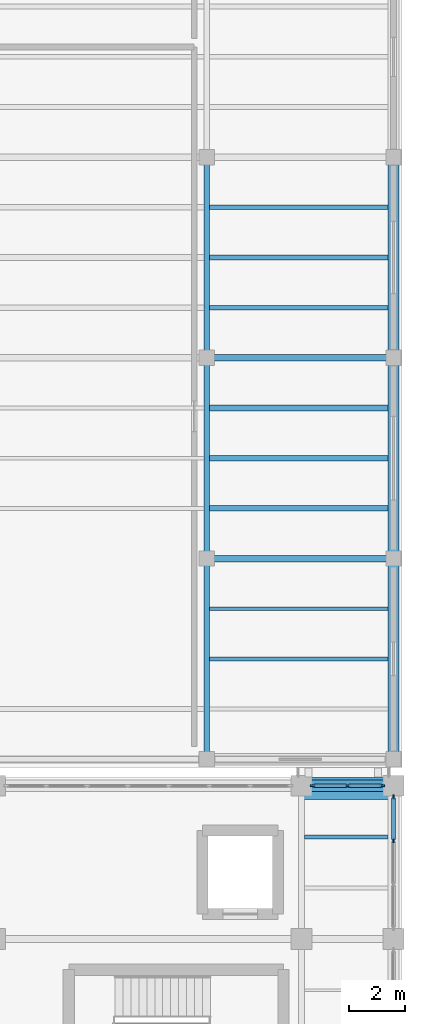
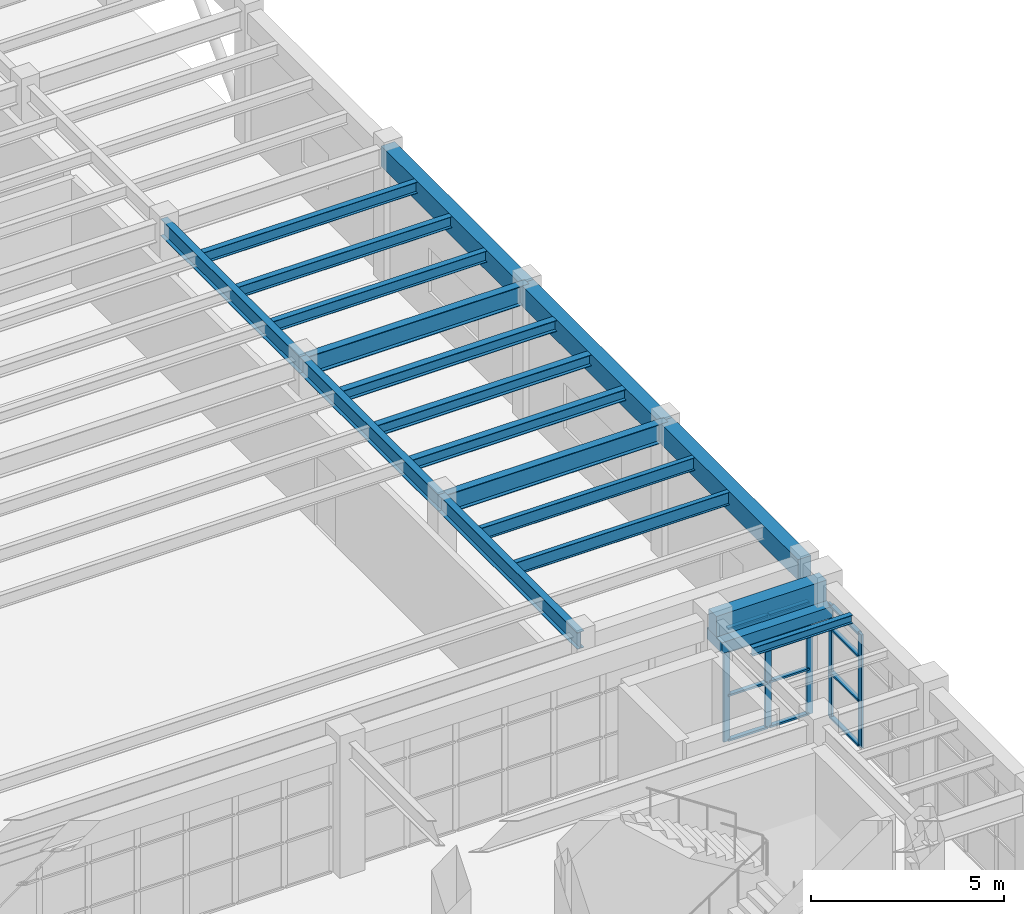
# One storey, part 46 of 85: 19 beams, 17 members, 2 elements without a shape of their own.
"""IFC4 building model written with IfcOpenShell, lengths in metres."""

from ifc_helpers import new_model, si_unit, direction, frame, origin, origin_2d, place, context, subcontext, project, spatial, rectangle, i_section, extrude, material, layer, layer_set, material_profile, profile_set, type_object, element, aggregate, save


model = new_model("IFC4")

# Units and contexts
model_context = context("Model", 3, precision=1e-05, world=origin(), true_north=direction((0.0, 1.0)))
body_context = subcontext(model_context, "Body", "Model", "MODEL_VIEW")
ifc_project = project(units=[si_unit("LENGTHUNIT", "METRE"), si_unit("AREAUNIT", "SQUARE_METRE"), si_unit("VOLUMEUNIT", "CUBIC_METRE"), si_unit("PLANEANGLEUNIT", "RADIAN"), si_unit("MASSUNIT", "GRAM", prefix="KILO")], contexts=[model_context])

# Site, building, storey
site_placement = place(None, origin())
site = spatial("IfcSite", under=ifc_project, at=site_placement, CompositionType="ELEMENT")
building_placement = place(site_placement, origin())
building = spatial("IfcBuilding", under=site, at=building_placement, Name="Candilejo Ridge Gondola Terminal", CompositionType="ELEMENT")
storey_placement = place(building_placement, frame((0.0, 0.0, 4.5)))
storey = spatial("IfcBuildingStorey", under=building, at=storey_placement, Name="L01", CompositionType="ELEMENT", Elevation=4.5)

# Curtain wall, members
ifc_material_1 = material(Name="Anodised aluminium AA 6063-T6", Category="aluminium")
ifc_layer_1 = layer(ifc_material_1, 0.169921875)
ifc_layer_set_1 = layer_set([ifc_layer_1], Name="ARC-CW-HALL-3800-475X359")
curtain_wall_type_1 = type_object("IfcCurtainWallType", Name="ARC-CW-HALL-3800-475X359", PredefinedType="NOTDEFINED", material=ifc_layer_set_1)
curtain_wall_1_placement = place(storey_placement, origin())
curtain_wall_1 = element("IfcCurtainWall", 1, at=curtain_wall_1_placement, inside=storey, type_object=curtain_wall_type_1, Name="Curtain wall V4 L01-121", PredefinedType="NOTDEFINED")
ifc_material_2 = material(Name="Anodised aluminium AA 6063-T6", Category="aluminium")
ifc_material_profile_1 = material_profile(ifc_material_2, rectangle(XDim=0.06494140625, YDim=0.179931640625, at=origin_2d()))
ifc_profile_set_1 = profile_set([ifc_material_profile_1], Name="Anodised aluminium AA 6063-T6")
member_type_1 = type_object("IfcMemberType", Name="ARC-CW-MULLION-180", PredefinedType="MULLION", material=ifc_profile_set_1)
member_1_placement = place(storey_placement, frame((175.300048828125, 45.74169921875, 0.0), z_axis=(0.0, 0.0, 1.0), x_axis=(-1.0, 0.0, 0.0)))
member_1 = element("IfcMember", 2, at=member_1_placement, type_object=member_type_1, Name="CW-47X35 mullion 3", PredefinedType="MULLION", context=body_context, shape_type="SweptSolid", body=[
    extrude(rectangle(XDim=0.06494140625, YDim=0.179931640625, at=origin_2d()), origin(), (0.0, 0.0, 1.0), 3.590087890625),
])
member_2_placement = place(storey_placement, frame((175.300048828125, 47.29248046875, 0.0), z_axis=(0.0, 0.0, 1.0), x_axis=(-1.0, 0.0, 0.0)))
member_2 = element("IfcMember", 3, at=member_2_placement, type_object=member_type_1, Name="CW-47X35 mullion 4", PredefinedType="MULLION", context=body_context, shape_type="SweptSolid", body=[
    extrude(rectangle(XDim=0.06494140625, YDim=0.179931640625, at=origin_2d()), origin(), (0.0, 0.0, 1.0), 3.590087890625),
])

ifc_material_3 = material(Name="Anodised aluminium AA 6063-T6", Category="aluminium")
ifc_layer_2 = layer(ifc_material_3, 0.169921875)
ifc_layer_set_2 = layer_set([ifc_layer_2], Name="ARC-CW-HALL-3800-255X359")
curtain_wall_type_2 = type_object("IfcCurtainWallType", Name="ARC-CW-HALL-3800-255X359", PredefinedType="NOTDEFINED", material=ifc_layer_set_2)
curtain_wall_2_placement = place(storey_placement, origin())
curtain_wall_2 = element("IfcCurtainWall", 4, at=curtain_wall_2_placement, inside=storey, type_object=curtain_wall_type_2, Name="Curtain wall V4 L01-131", PredefinedType="NOTDEFINED")
member_3_placement = place(storey_placement, frame((172.407470703125, 47.699951171875, 0.0), z_axis=(0.0, 0.0, 1.0), x_axis=(0.0, 1.0, 0.0)))
member_3 = element("IfcMember", 5, at=member_3_placement, type_object=member_type_1, Name="CW-25X35 mullion 1", PredefinedType="MULLION", context=body_context, shape_type="SweptSolid", body=[
    extrude(rectangle(XDim=0.06494140625, YDim=0.179931640625, at=origin_2d()), origin(), (0.0, 0.0, 1.0), 3.590087890625),
])
member_4_placement = place(storey_placement, frame((173.64990234375, 47.699951171875, 0.0), z_axis=(0.0, 0.0, 1.0), x_axis=(0.0, 1.0, 0.0)))
member_4 = element("IfcMember", 6, at=member_4_placement, type_object=member_type_1, Name="CW-25X35 mullion 2", PredefinedType="MULLION", context=body_context, shape_type="SweptSolid", body=[
    extrude(rectangle(XDim=0.06494140625, YDim=0.179931640625, at=origin_2d()), origin(), (0.0, 0.0, 1.0), 3.590087890625),
])
member_5_placement = place(storey_placement, frame((174.892578125, 47.699951171875, 0.0), z_axis=(0.0, 0.0, 1.0), x_axis=(0.0, 1.0, 0.0)))
member_5 = element("IfcMember", 7, at=member_5_placement, type_object=member_type_1, Name="CW-25X35 mullion 3", PredefinedType="MULLION", context=body_context, shape_type="SweptSolid", body=[
    extrude(rectangle(XDim=0.06494140625, YDim=0.179931640625, at=origin_2d()), origin(), (0.0, 0.0, 1.0), 3.590087890625),
])

# Member
ifc_material_4 = material(Name="Anodised aluminium AA 6063-T6", Category="aluminium")
ifc_material_profile_2 = material_profile(ifc_material_4, rectangle(XDim=0.1298828125, YDim=0.06005859375, at=origin_2d()))
ifc_profile_set_2 = profile_set([ifc_material_profile_2], Name="Anodised aluminium AA 6063-T6")
member_type_2 = type_object("IfcMemberType", Name="ARC-CW-TRANSOM-130", PredefinedType="USERDEFINED", material=ifc_profile_set_2)
member_6_placement = place(storey_placement, frame((175.300048828125, 45.774169921875, 0.030029296875), z_axis=(0.0, 1.0, 0.0), x_axis=(-1.0, 0.0, 0.0)))
member_6 = element("IfcMember", 8, at=member_6_placement, type_object=member_type_2, Name="CW-47X35 transom 3.1", ObjectType="TRANSOM", PredefinedType="USERDEFINED", context=body_context, shape_type="SweptSolid", body=[
    extrude(rectangle(XDim=0.1298828125, YDim=0.06005859375, at=origin_2d()), origin(), (0.0, 0.0, 1.0), 1.48583984375),
])

member_7_placement = place(storey_placement, frame((175.300048828125, 45.774169921875, 1.449951171875), z_axis=(0.0, 1.0, 0.0), x_axis=(-1.0, 0.0, 0.0)))
member_7 = element("IfcMember", 9, at=member_7_placement, type_object=member_type_2, Name="CW-47X35 transom 3.2", ObjectType="TRANSOM", PredefinedType="USERDEFINED", context=body_context, shape_type="SweptSolid", body=[
    extrude(rectangle(XDim=0.1298828125, YDim=0.06005859375, at=origin_2d()), origin(), (0.0, 0.0, 1.0), 1.48583984375),
])

member_8_placement = place(storey_placement, frame((175.300048828125, 45.774169921875, 2.85009765625), z_axis=(0.0, 1.0, 0.0), x_axis=(-1.0, 0.0, 0.0)))
member_8 = element("IfcMember", 10, at=member_8_placement, type_object=member_type_2, Name="CW-47X35 transom 3.3", ObjectType="TRANSOM", PredefinedType="USERDEFINED", context=body_context, shape_type="SweptSolid", body=[
    extrude(rectangle(XDim=0.1298828125, YDim=0.06005859375, at=origin_2d()), origin(), (0.0, 0.0, 1.0), 1.48583984375),
])

member_9_placement = place(storey_placement, frame((175.300048828125, 45.774169921875, 3.56005859375), z_axis=(0.0, 1.0, 0.0), x_axis=(-1.0, 0.0, 0.0)))
member_9 = element("IfcMember", 11, at=member_9_placement, type_object=member_type_2, Name="CW-47X35 transom 3.4", ObjectType="TRANSOM", PredefinedType="USERDEFINED", context=body_context, shape_type="SweptSolid", body=[
    extrude(rectangle(XDim=0.1298828125, YDim=0.06005859375, at=origin_2d()), origin(), (0.0, 0.0, 1.0), 1.48583984375),
])

aggregate(curtain_wall_1, [member_1, member_2, member_6, member_7, member_8, member_9])

member_10_placement = place(storey_placement, frame((172.43994140625, 47.699951171875, 0.030029296875), z_axis=(1.0, 0.0, 0.0), x_axis=(0.0, 1.0, 0.0)))
member_10 = element("IfcMember", 12, at=member_10_placement, type_object=member_type_2, Name="CW-25X35 transom 1.1", ObjectType="TRANSOM", PredefinedType="USERDEFINED", context=body_context, shape_type="SweptSolid", body=[
    extrude(rectangle(XDim=0.1298828125, YDim=0.06005859375, at=origin_2d()), origin(), (0.0, 0.0, 1.0), 1.177490234375),
])

member_11_placement = place(storey_placement, frame((172.43994140625, 47.699951171875, 1.449951171875), z_axis=(1.0, 0.0, 0.0), x_axis=(0.0, 1.0, 0.0)))
member_11 = element("IfcMember", 13, at=member_11_placement, type_object=member_type_2, Name="CW-25X35 transom 1.2", ObjectType="TRANSOM", PredefinedType="USERDEFINED", context=body_context, shape_type="SweptSolid", body=[
    extrude(rectangle(XDim=0.1298828125, YDim=0.06005859375, at=origin_2d()), origin(), (0.0, 0.0, 1.0), 1.177490234375),
])

member_12_placement = place(storey_placement, frame((172.43994140625, 47.699951171875, 2.85009765625), z_axis=(1.0, 0.0, 0.0), x_axis=(0.0, 1.0, 0.0)))
member_12 = element("IfcMember", 14, at=member_12_placement, type_object=member_type_2, Name="CW-25X35 transom 1.3", ObjectType="TRANSOM", PredefinedType="USERDEFINED", context=body_context, shape_type="SweptSolid", body=[
    extrude(rectangle(XDim=0.1298828125, YDim=0.06005859375, at=origin_2d()), origin(), (0.0, 0.0, 1.0), 1.177490234375),
])

member_13_placement = place(storey_placement, frame((172.43994140625, 47.699951171875, 3.56005859375), z_axis=(1.0, 0.0, 0.0), x_axis=(0.0, 1.0, 0.0)))
member_13 = element("IfcMember", 15, at=member_13_placement, type_object=member_type_2, Name="CW-25X35 transom 1.4", ObjectType="TRANSOM", PredefinedType="USERDEFINED", context=body_context, shape_type="SweptSolid", body=[
    extrude(rectangle(XDim=0.1298828125, YDim=0.06005859375, at=origin_2d()), origin(), (0.0, 0.0, 1.0), 1.177490234375),
])

member_14_placement = place(storey_placement, frame((173.6826171875, 47.699951171875, 0.030029296875), z_axis=(1.0, 0.0, 0.0), x_axis=(0.0, 1.0, 0.0)))
member_14 = element("IfcMember", 16, at=member_14_placement, type_object=member_type_2, Name="CW-25X35 transom 2.1", ObjectType="TRANSOM", PredefinedType="USERDEFINED", context=body_context, shape_type="SweptSolid", body=[
    extrude(rectangle(XDim=0.1298828125, YDim=0.06005859375, at=origin_2d()), origin(), (0.0, 0.0, 1.0), 1.177490234375),
])

member_15_placement = place(storey_placement, frame((173.6826171875, 47.699951171875, 1.449951171875), z_axis=(1.0, 0.0, 0.0), x_axis=(0.0, 1.0, 0.0)))
member_15 = element("IfcMember", 17, at=member_15_placement, type_object=member_type_2, Name="CW-25X35 transom 2.2", ObjectType="TRANSOM", PredefinedType="USERDEFINED", context=body_context, shape_type="SweptSolid", body=[
    extrude(rectangle(XDim=0.1298828125, YDim=0.06005859375, at=origin_2d()), origin(), (0.0, 0.0, 1.0), 1.177490234375),
])

member_16_placement = place(storey_placement, frame((173.6826171875, 47.699951171875, 2.85009765625), z_axis=(1.0, 0.0, 0.0), x_axis=(0.0, 1.0, 0.0)))
member_16 = element("IfcMember", 18, at=member_16_placement, type_object=member_type_2, Name="CW-25X35 transom 2.3", ObjectType="TRANSOM", PredefinedType="USERDEFINED", context=body_context, shape_type="SweptSolid", body=[
    extrude(rectangle(XDim=0.1298828125, YDim=0.06005859375, at=origin_2d()), origin(), (0.0, 0.0, 1.0), 1.177490234375),
])

member_17_placement = place(storey_placement, frame((173.6826171875, 47.699951171875, 3.56005859375), z_axis=(1.0, 0.0, 0.0), x_axis=(0.0, 1.0, 0.0)))
member_17 = element("IfcMember", 19, at=member_17_placement, type_object=member_type_2, Name="CW-25X35 transom 2.4", ObjectType="TRANSOM", PredefinedType="USERDEFINED", context=body_context, shape_type="SweptSolid", body=[
    extrude(rectangle(XDim=0.1298828125, YDim=0.06005859375, at=origin_2d()), origin(), (0.0, 0.0, 1.0), 1.177490234375),
])

aggregate(curtain_wall_2, [member_3, member_4, member_5, member_10, member_11, member_12, member_13, member_14, member_15, member_16, member_17])

# Beams
ifc_material_5 = material(Name="Steel ASTM A992 Grade 50", Category="steel")
ifc_material_profile_3 = material_profile(ifc_material_5, i_section(OverallWidth=0.208984375, OverallDepth=0.532958984375, WebThickness=0.01025390625, FlangeThickness=0.015625, at=origin_2d()))
ifc_profile_set_3 = profile_set([ifc_material_profile_3], Name="Steel ASTM A992 Grade 50")
beam_type_1 = type_object("IfcBeamType", Name="STR-BM-W530X92", PredefinedType="BEAM", material=ifc_profile_set_3)
beam_1_placement = place(storey_placement, frame((168.60009765625, 48.64990234375, 3.948486328125), z_axis=(0.0, 1.0, 0.0), x_axis=(-1.0, 0.0, 0.0)))
element("IfcBeam", 20, at=beam_1_placement, inside=storey, type_object=beam_type_1, Name="Beam Y V5 L01 Y10-Y11@X25", PredefinedType="BEAM", context=body_context, shape_type="SweptSolid", body=[
    extrude(i_section(OverallWidth=0.208984375, OverallDepth=0.532958984375, WebThickness=0.01025390625, FlangeThickness=0.015625, at=origin_2d()), origin(), (0.0, 0.0, 1.0), 7.2001953125),
])
for number, where, z_axis, x_axis, name in (
    (21, (168.60009765625, 55.85009765625, 3.948486328125), (0.0, 1.0, 0.0), (-1.0, 0.0, 0.0), "Beam Y V5 L01 Y11-Y12@X25"),
    (22, (168.60009765625, 63.050048828125, 3.948486328125), (0.0, 1.0, 0.0), (-1.0, 0.0, 0.0), "Beam Y V5 L01 Y12-Y13@X25"),
):
    element("IfcBeam", number, at=place(storey_placement, frame(where, z_axis=z_axis, x_axis=x_axis)), inside=storey, type_object=beam_type_1, Name=name, PredefinedType="BEAM", context=body_context, shape_type="SweptSolid", body=[
        extrude(i_section(OverallWidth=0.208984375, OverallDepth=0.532958984375, WebThickness=0.01025390625, FlangeThickness=0.015625, at=origin_2d()), origin(), (0.0, 0.0, 1.0), 7.199951171875),
    ])
ifc_material_6 = material(Name="Steel ASTM A992 Grade 50", Category="steel")
ifc_material_profile_4 = material_profile(ifc_material_6, i_section(OverallWidth=0.22900390625, OverallDepth=0.612060546875, WebThickness=0.011962890625, FlangeThickness=0.01953125, at=origin_2d()))
ifc_profile_set_4 = profile_set([ifc_material_profile_4], Name="Steel ASTM A992 Grade 50")
beam_type_2 = type_object("IfcBeamType", Name="STR-BM-W610X125", PredefinedType="BEAM", material=ifc_profile_set_4)
for number, where, z_axis, x_axis, name in (
    (23, (168.60009765625, 55.85009765625, 3.908935546875), (1.0, 0.0, 0.0), (0.0, 1.0, 0.0), "Beam X V5 L01 X25-X27@Y11"),
    (24, (168.60009765625, 63.050048828125, 3.908935546875), (1.0, 0.0, 0.0), (0.0, 1.0, 0.0), "Beam X V5 L01 X25-X27@Y12"),
):
    element("IfcBeam", number, at=place(storey_placement, frame(where, z_axis=z_axis, x_axis=x_axis)), inside=storey, type_object=beam_type_2, Name=name, PredefinedType="BEAM", context=body_context, shape_type="SweptSolid", body=[
        extrude(i_section(OverallWidth=0.22900390625, OverallDepth=0.612060546875, WebThickness=0.011962890625, FlangeThickness=0.01953125, at=origin_2d()), origin(), (0.0, 0.0, 1.0), 6.699951171875),
    ])
ifc_material_7 = material(Name="Concrete f'c 35 MPa (C35/45)", Category="concrete")
ifc_material_profile_5 = material_profile(ifc_material_7, rectangle(XDim=0.800048828125, YDim=0.35009765625, at=origin_2d()))
ifc_profile_set_5 = profile_set([ifc_material_profile_5], Name="Concrete f'c 35 MPa (C35/45)")
beam_type_3 = type_object("IfcBeamType", Name="STR-CRB-RC800X350", PredefinedType="SPANDREL", material=ifc_profile_set_5)
beam_2_placement = place(storey_placement, frame((172.0, 47.60009765625, 3.375), z_axis=(1.0, 0.0, 0.0), x_axis=(0.0, 1.0, 0.0)))
element("IfcBeam", 25, at=beam_2_placement, inside=storey, type_object=beam_type_3, Name="Seismic bridge 800 mm RC corbel seat LB-SJ4-L02", PredefinedType="SPANDREL", context=body_context, shape_type="SweptSolid", body=[
    extrude(rectangle(XDim=0.800048828125, YDim=0.35009765625, at=origin_2d()), origin(), (0.0, 0.0, 1.0), 3.300048828125),
])
ifc_material_8 = material(Name="Steel ASTM A992 Grade 50", Category="steel")
ifc_material_profile_6 = material_profile(ifc_material_8, i_section(OverallWidth=0.14794921875, OverallDepth=0.26611328125, WebThickness=0.007568359375, FlangeThickness=0.012939453125, at=origin_2d()))
ifc_profile_set_6 = profile_set([ifc_material_profile_6], Name="Steel ASTM A992 Grade 50")
beam_type_4 = type_object("IfcBeamType", Name="STR-JST-W250X45", PredefinedType="JOIST", material=ifc_profile_set_6)
beam_3_placement = place(storey_placement, frame((172.10546875, 45.86669921875, 4.06689453125), z_axis=(1.0, 0.0, 0.0), x_axis=(0.0, 1.0, 0.0)))
element("IfcBeam", 26, at=beam_3_placement, inside=storey, type_object=beam_type_4, Name="Composite joist V4 L01-0920", PredefinedType="JOIST", context=body_context, shape_type="SweptSolid", body=[
    extrude(i_section(OverallWidth=0.14794921875, OverallDepth=0.26611328125, WebThickness=0.007568359375, FlangeThickness=0.012939453125, at=origin_2d()), origin(), (0.0, 0.0, 1.0), 2.99462890625),
])
ifc_material_9 = material(Name="Steel ASTM A992 Grade 50", Category="steel")
ifc_material_profile_7 = material_profile(ifc_material_9, i_section(OverallWidth=0.1708984375, OverallDepth=0.35498046875, WebThickness=0.007080078125, FlangeThickness=0.01171875, at=origin_2d()))
ifc_profile_set_7 = profile_set([ifc_material_profile_7], Name="Steel ASTM A992 Grade 50")
beam_type_5 = type_object("IfcBeamType", Name="STR-JST-W360X51", PredefinedType="JOIST", material=ifc_profile_set_7)
for number, where, z_axis, x_axis, name in (
    (27, (168.70458984375, 64.85009765625, 4.03759765625), (1.0, 0.0, 0.0), (0.0, 1.0, 0.0), "Composite joist V5 L01-1230"),
    (28, (168.70458984375, 66.64990234375, 4.03759765625), (1.0, 0.0, 0.0), (0.0, 1.0, 0.0), "Composite joist V5 L01-1231"),
    (29, (168.70458984375, 68.449951171875, 4.03759765625), (1.0, 0.0, 0.0), (0.0, 1.0, 0.0), "Composite joist V5 L01-1232"),
):
    element("IfcBeam", number, at=place(storey_placement, frame(where, z_axis=z_axis, x_axis=x_axis)), inside=storey, type_object=beam_type_5, Name=name, PredefinedType="JOIST", context=body_context, shape_type="SweptSolid", body=[
        extrude(i_section(OverallWidth=0.1708984375, OverallDepth=0.35498046875, WebThickness=0.007080078125, FlangeThickness=0.01171875, at=origin_2d()), origin(), (0.0, 0.0, 1.0), 6.3955078125),
    ])
ifc_material_10 = material(Name="Steel ASTM A992 Grade 50", Category="steel")
ifc_material_profile_8 = material_profile(ifc_material_10, i_section(OverallWidth=0.205078125, OverallDepth=0.35400390625, WebThickness=0.009521484375, FlangeThickness=0.016845703125, at=origin_2d()))
ifc_profile_set_8 = profile_set([ifc_material_profile_8], Name="Steel ASTM A992 Grade 50")
beam_type_6 = type_object("IfcBeamType", Name="STR-JST-W360X79", PredefinedType="JOIST", material=ifc_profile_set_8)
for number, where, z_axis, x_axis, name in (
    (30, (168.70458984375, 57.64990234375, 4.0380859375), (1.0, 0.0, 0.0), (0.0, 1.0, 0.0), "Composite joist V5 L01-1227"),
    (31, (168.70458984375, 59.449951171875, 4.0380859375), (1.0, 0.0, 0.0), (0.0, 1.0, 0.0), "Composite joist V5 L01-1228"),
    (32, (168.70458984375, 61.25, 4.0380859375), (1.0, 0.0, 0.0), (0.0, 1.0, 0.0), "Composite joist V5 L01-1229"),
):
    element("IfcBeam", number, at=place(storey_placement, frame(where, z_axis=z_axis, x_axis=x_axis)), inside=storey, type_object=beam_type_6, Name=name, PredefinedType="JOIST", context=body_context, shape_type="SweptSolid", body=[
        extrude(i_section(OverallWidth=0.205078125, OverallDepth=0.35400390625, WebThickness=0.009521484375, FlangeThickness=0.016845703125, at=origin_2d()), origin(), (0.0, 0.0, 1.0), 6.3955078125),
    ])
ifc_material_11 = material(Name="Steel ASTM A992 Grade 50", Category="steel")
ifc_material_profile_9 = material_profile(ifc_material_11, i_section(OverallWidth=0.139892578125, OverallDepth=0.403076171875, WebThickness=0.007080078125, FlangeThickness=0.01123046875, at=origin_2d()))
ifc_profile_set_9 = profile_set([ifc_material_profile_9], Name="Steel ASTM A992 Grade 50")
beam_type_7 = type_object("IfcBeamType", Name="STR-JST-W410X46", PredefinedType="JOIST", material=ifc_profile_set_9)
for number, where, z_axis, x_axis, name in (
    (33, (168.70458984375, 52.25, 4.013427734375), (1.0, 0.0, 0.0), (0.0, 1.0, 0.0), "Composite joist V5 L01-1225"),
    (34, (168.70458984375, 54.050048828125, 4.013427734375), (1.0, 0.0, 0.0), (0.0, 1.0, 0.0), "Composite joist V5 L01-1226"),
):
    element("IfcBeam", number, at=place(storey_placement, frame(where, z_axis=z_axis, x_axis=x_axis)), inside=storey, type_object=beam_type_7, Name=name, PredefinedType="JOIST", context=body_context, shape_type="SweptSolid", body=[
        extrude(i_section(OverallWidth=0.139892578125, OverallDepth=0.403076171875, WebThickness=0.007080078125, FlangeThickness=0.01123046875, at=origin_2d()), origin(), (0.0, 0.0, 1.0), 6.3955078125),
    ])
ifc_material_12 = material(Name="Concrete f'c 35 MPa (C35/45)", Category="concrete")
ifc_material_profile_10 = material_profile(ifc_material_12, rectangle(XDim=0.39990234375, YDim=0.64990234375, at=origin_2d()))
ifc_profile_set_10 = profile_set([ifc_material_profile_10], Name="Concrete f'c 35 MPa (C35/45)")
beam_type_8 = type_object("IfcBeamType", Name="STR-SPN-RC400X650", PredefinedType="SPANDREL", material=ifc_profile_set_10)
beam_4_placement = place(storey_placement, frame((172.0, 47.699951171875, 3.875), z_axis=(1.0, 0.0, 0.0), x_axis=(0.0, 1.0, 0.0)))
element("IfcBeam", 35, at=beam_4_placement, inside=storey, type_object=beam_type_8, Name="Beam X V4 L01 X26-X27@Y09", PredefinedType="SPANDREL", context=body_context, shape_type="SweptSolid", body=[
    extrude(rectangle(XDim=0.39990234375, YDim=0.64990234375, at=origin_2d()), origin(), (0.0, 0.0, 1.0), 3.300048828125),
])
beam_5_placement = place(storey_placement, frame((175.300048828125, 48.64990234375, 3.889892578125), z_axis=(0.0, 1.0, 0.0), x_axis=(-1.0, 0.0, 0.0)))
element("IfcBeam", 36, at=beam_5_placement, inside=storey, type_object=beam_type_8, Name="Beam Y V5 L01 Y10-Y11@X27", PredefinedType="SPANDREL", context=body_context, shape_type="SweptSolid", body=[
    extrude(rectangle(XDim=0.39990234375, YDim=0.64990234375, at=origin_2d()), origin(), (0.0, 0.0, 1.0), 7.2001953125),
])
for number, where, z_axis, x_axis, name in (
    (37, (175.300048828125, 55.85009765625, 3.889892578125), (0.0, 1.0, 0.0), (-1.0, 0.0, 0.0), "Beam Y V5 L01 Y11-Y12@X27"),
    (38, (175.300048828125, 63.050048828125, 3.889892578125), (0.0, 1.0, 0.0), (-1.0, 0.0, 0.0), "Beam Y V5 L01 Y12-Y13@X27"),
):
    element("IfcBeam", number, at=place(storey_placement, frame(where, z_axis=z_axis, x_axis=x_axis)), inside=storey, type_object=beam_type_8, Name=name, PredefinedType="SPANDREL", context=body_context, shape_type="SweptSolid", body=[
        extrude(rectangle(XDim=0.39990234375, YDim=0.64990234375, at=origin_2d()), origin(), (0.0, 0.0, 1.0), 7.199951171875),
    ])

save(model, "model.ifc")
